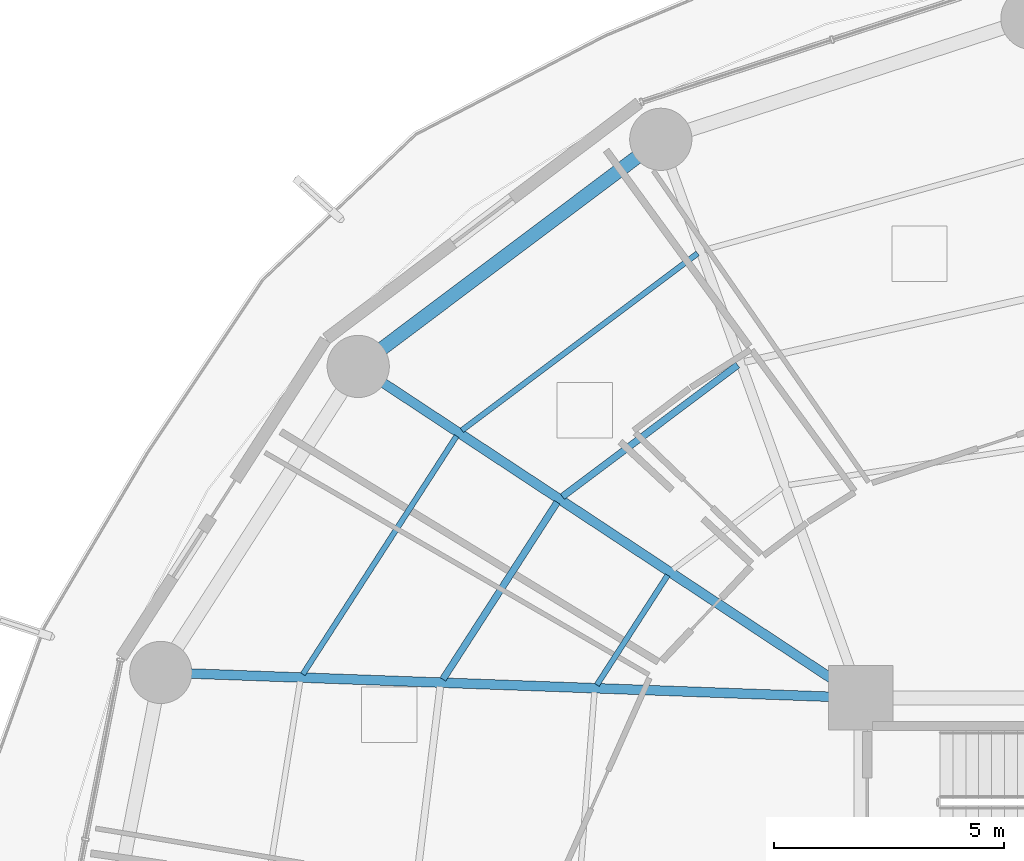
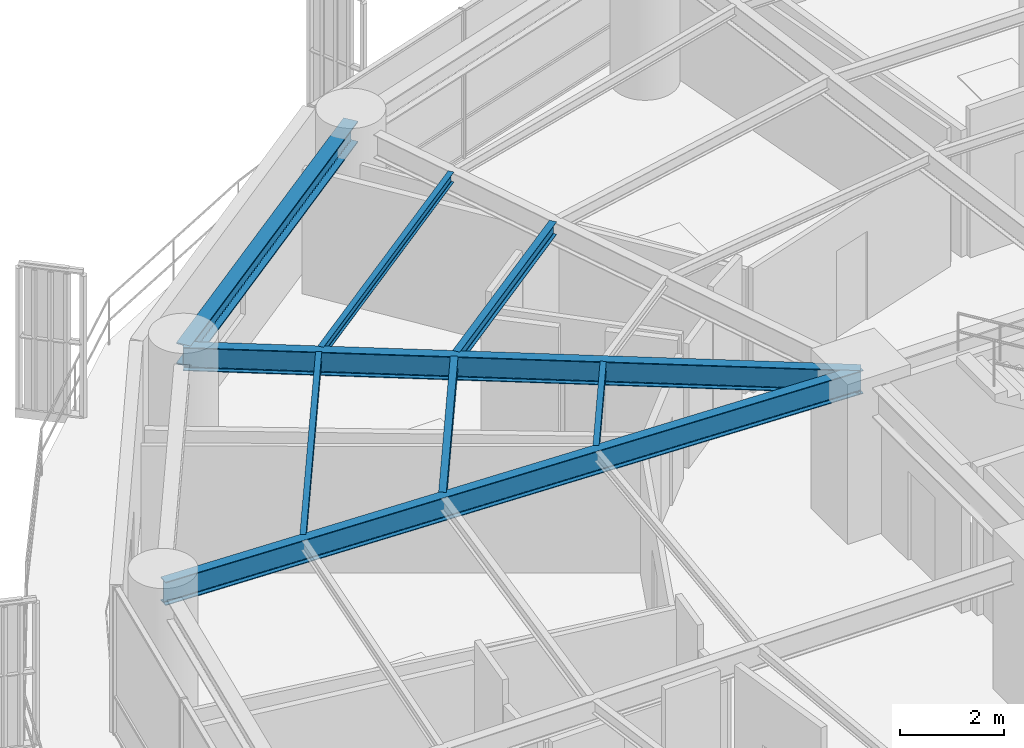
# One storey, part 18 of 35: 8 beams.
"""IFC4 building model written with IfcOpenShell, lengths in metres."""

from ifc_helpers import new_model, si_unit, direction, frame, origin, origin_2d, place, context, subcontext, project, spatial, i_section, extrude, material, material_profile, profile_set, type_object, element, save


model = new_model("IFC4")

# Units and contexts
model_context = context("Model", 3, precision=1e-05, world=origin(), true_north=direction((0.0, 1.0)))
body_context = subcontext(model_context, "Body", "Model", "MODEL_VIEW")
ifc_project = project(units=[si_unit("LENGTHUNIT", "METRE"), si_unit("AREAUNIT", "SQUARE_METRE"), si_unit("VOLUMEUNIT", "CUBIC_METRE"), si_unit("PLANEANGLEUNIT", "RADIAN"), si_unit("MASSUNIT", "GRAM", prefix="KILO")], contexts=[model_context])

# Site, building, storey
site_placement = place(None, origin())
site = spatial("IfcSite", under=ifc_project, at=site_placement, CompositionType="ELEMENT")
building_placement = place(site_placement, origin())
building = spatial("IfcBuilding", under=site, at=building_placement, Name="Kelanora Arch Commons", CompositionType="ELEMENT")
storey_placement = place(building_placement, frame((0.0, 0.0, 87.60009765625)))
storey = spatial("IfcBuildingStorey", under=building, at=storey_placement, Name="L22", CompositionType="ELEMENT", Elevation=87.60009765625)

# Beams
ifc_material = material(Name="Steel S355", Category="steel")
ifc_material_profile_1 = material_profile(ifc_material, i_section(OverallWidth=0.14990234375, OverallDepth=0.300048828125, WebThickness=0.007080078125, FlangeThickness=0.0107421875, FilletRadius=0.014892578125, at=origin_2d()), Name="IPE300")
ifc_profile_set_1 = profile_set([ifc_material_profile_1], Name="Steel S355")
beam_type_1 = type_object("IfcBeamType", Name="BM-JST-01", PredefinedType="JOIST", material=ifc_profile_set_1)
beam_1_placement = place(storey_placement, frame((63.327880859375, 72.22216796875, 3.33984375), z_axis=(-0.79971039107, -0.600385951214, 0.0), x_axis=(0.600385951214, -0.79971039107, 0.0)))
element("IfcBeam", 1, at=beam_1_placement, inside=storey, type_object=beam_type_1, Name="Secondary Chord Joist BJB-12 L22", PredefinedType="JOIST", context=body_context, shape_type="SweptSolid", body=[
    extrude(i_section(OverallWidth=0.14990234375, OverallDepth=0.300048828125, WebThickness=0.007080078125, FlangeThickness=0.0107421875, FilletRadius=0.014892578125, at=origin_2d()), origin(), (0.0, 0.0, 1.0), 4.756103515625),
])
beam_2_placement = place(storey_placement, frame((59.410400390625, 69.244384765625, 3.33984375), z_axis=(-0.542230243286, -0.840229946661, 0.0), x_axis=(0.840229946661, -0.542230243286, 0.0)))
element("IfcBeam", 2, at=beam_2_placement, inside=storey, type_object=beam_type_1, Name="Secondary Chord Joist BJB-14 L22", PredefinedType="JOIST", context=body_context, shape_type="SweptSolid", body=[
    extrude(i_section(OverallWidth=0.14990234375, OverallDepth=0.300048828125, WebThickness=0.007080078125, FlangeThickness=0.0107421875, FilletRadius=0.014892578125, at=origin_2d()), origin(), (0.0, 0.0, 1.0), 4.572265625),
])
ifc_material_profile_2 = material_profile(ifc_material, i_section(OverallWidth=0.1201171875, OverallDepth=0.239990234375, WebThickness=0.006103515625, FlangeThickness=0.009765625, FilletRadius=0.014892578125, at=origin_2d()), Name="IPE240")
ifc_profile_set_2 = profile_set([ifc_material_profile_2], Name="Steel S355")
beam_type_2 = type_object("IfcBeamType", Name="BM-JST-02", PredefinedType="JOIST", material=ifc_profile_set_2)
beam_3_placement = place(storey_placement, frame((62.4599609375, 74.646484375, 3.369873046875), z_axis=(-0.799734335646, -0.600354055861, 0.0), x_axis=(0.600354055861, -0.799734335646, 0.0)))
element("IfcBeam", 3, at=beam_3_placement, inside=storey, type_object=beam_type_2, Name="Secondary Chord Joist BJC-12 L22", PredefinedType="JOIST", context=body_context, shape_type="SweptSolid", body=[
    extrude(i_section(OverallWidth=0.1201171875, OverallDepth=0.239990234375, WebThickness=0.006103515625, FlangeThickness=0.009765625, FilletRadius=0.014892578125, at=origin_2d()), origin(), (0.0, 0.0, 1.0), 6.39794921875),
])
beam_4_placement = place(storey_placement, frame((61.8095703125, 67.661865234375, 3.369873046875), z_axis=(-0.542211255502, -0.840242199849, 0.0), x_axis=(0.840242199849, -0.542211255502, 0.0)))
element("IfcBeam", 4, at=beam_4_placement, inside=storey, type_object=beam_type_2, Name="Secondary Chord Joist BJA-14 L22", PredefinedType="JOIST", context=body_context, shape_type="SweptSolid", body=[
    extrude(i_section(OverallWidth=0.1201171875, OverallDepth=0.239990234375, WebThickness=0.006103515625, FlangeThickness=0.009765625, FilletRadius=0.014892578125, at=origin_2d()), origin(), (0.0, 0.0, 1.0), 2.83349609375),
])
beam_5_placement = place(storey_placement, frame((57.22900390625, 70.682861328125, 3.369873046875), z_axis=(-0.542212726273, -0.840241250754, 0.0), x_axis=(0.840241250754, -0.542212726273, 0.0)))
element("IfcBeam", 5, at=beam_5_placement, inside=storey, type_object=beam_type_2, Name="Secondary Chord Joist BJC-14 L22", PredefinedType="JOIST", context=body_context, shape_type="SweptSolid", body=[
    extrude(i_section(OverallWidth=0.1201171875, OverallDepth=0.239990234375, WebThickness=0.006103515625, FlangeThickness=0.009765625, FilletRadius=0.014892578125, at=origin_2d()), origin(), (0.0, 0.0, 1.0), 6.15283203125),
])
ifc_material_profile_3 = material_profile(ifc_material, i_section(OverallWidth=0.2099609375, OverallDepth=0.550048828125, WebThickness=0.010986328125, FlangeThickness=0.01708984375, FilletRadius=0.02392578125, at=origin_2d()), Name="IPE550")
ifc_profile_set_3 = profile_set([ifc_material_profile_3], Name="Steel S355")
beam_type_3 = type_object("IfcBeamType", Name="BM-RAD-Z2", PredefinedType="BEAM", material=ifc_profile_set_3)
beam_6_placement = place(storey_placement, frame((66.0, 65.0, 3.21484375), z_axis=(-0.834788577908, 0.550570640512, 0.0), x_axis=(-0.550570640512, -0.834788577908, 0.0)))
element("IfcBeam", 6, at=beam_6_placement, inside=storey, type_object=beam_type_3, Name="Radial Floor Girder BR-14 L22", PredefinedType="BEAM", context=body_context, shape_type="SweptSolid", body=[
    extrude(i_section(OverallWidth=0.2099609375, OverallDepth=0.550048828125, WebThickness=0.010986328125, FlangeThickness=0.01708984375, FilletRadius=0.02392578125, at=origin_2d()), origin(), (0.0, 0.0, 1.0), 13.064453125),
])
beam_7_placement = place(storey_placement, frame((66.0, 65.0, 3.21484375), z_axis=(-0.999341087625, 0.036295875581, 0.0), x_axis=(-0.036295875581, -0.999341087625, 0.0)))
element("IfcBeam", 7, at=beam_7_placement, inside=storey, type_object=beam_type_3, Name="Radial Floor Girder BR-16 L22", PredefinedType="BEAM", context=body_context, shape_type="SweptSolid", body=[
    extrude(i_section(OverallWidth=0.2099609375, OverallDepth=0.550048828125, WebThickness=0.010986328125, FlangeThickness=0.01708984375, FilletRadius=0.02392578125, at=origin_2d()), origin(), (0.0, 0.0, 1.0), 15.20166015625),
])
ifc_material_profile_4 = material_profile(ifc_material, i_section(OverallWidth=0.300048828125, OverallDepth=0.5, WebThickness=0.014404296875, FlangeThickness=0.028076171875, FilletRadius=0.027099609375, at=origin_2d()), Name="HEB500")
ifc_profile_set_4 = profile_set([ifc_material_profile_4], Name="Steel S355")
beam_type_4 = type_object("IfcBeamType", Name="BM-SPN-Z2", PredefinedType="SPANDREL", material=ifc_profile_set_4)
beam_8_placement = place(storey_placement, frame((61.659912109375, 77.121826171875, 3.239990234375), z_axis=(-0.799735861602, -0.600352023123, 0.0), x_axis=(0.600352023123, -0.799735861602, 0.0)))
element("IfcBeam", 8, at=beam_8_placement, inside=storey, type_object=beam_type_4, Name="Perimeter Spandrel Beam BS-12 L22", PredefinedType="SPANDREL", context=body_context, shape_type="SweptSolid", body=[
    extrude(i_section(OverallWidth=0.300048828125, OverallDepth=0.5, WebThickness=0.014404296875, FlangeThickness=0.028076171875, FilletRadius=0.027099609375, at=origin_2d()), origin(), (0.0, 0.0, 1.0), 8.210205078125),
])

save(model, "model.ifc")
